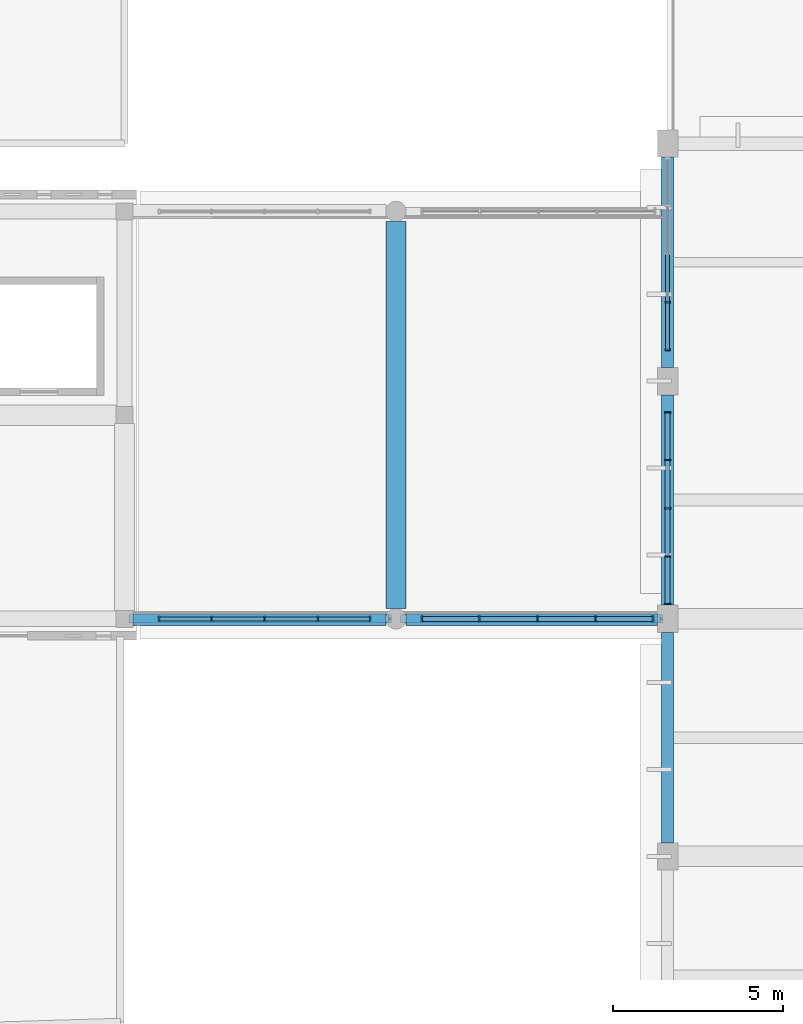
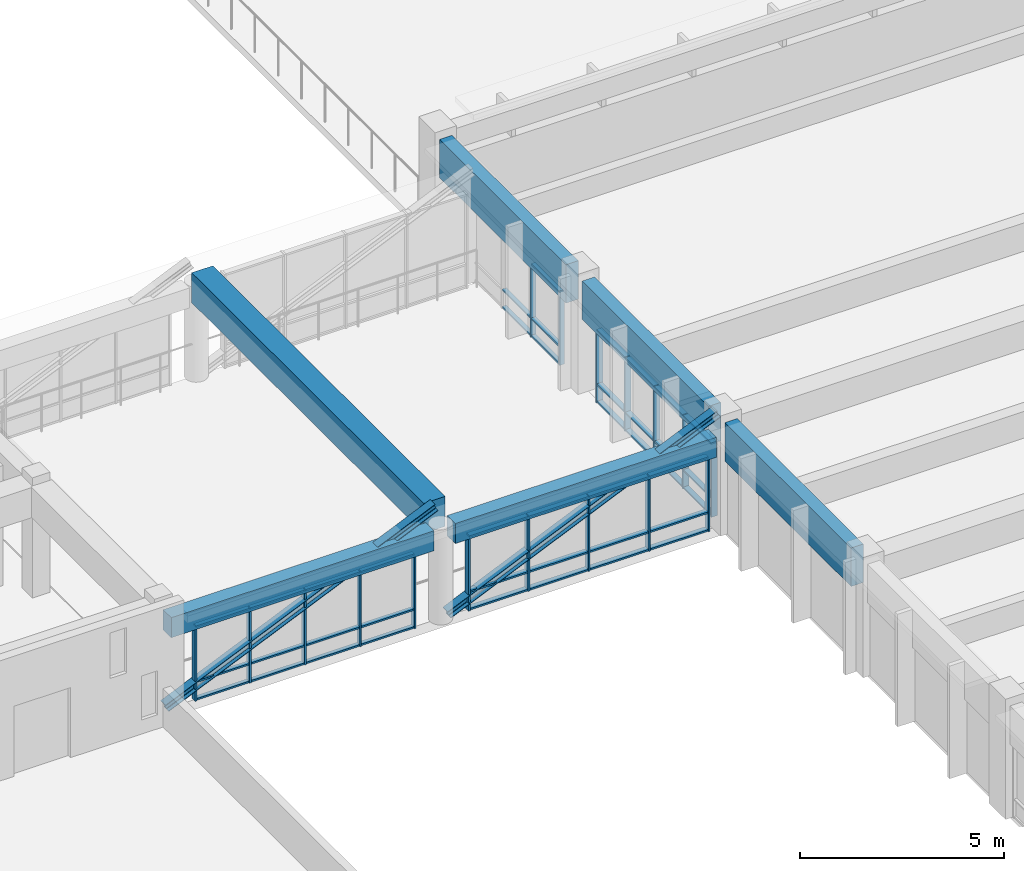
# One storey, part 24 of 77: 60 members, 6 beams, 4 elements without a shape of their own.
"""IFC4 building model written with IfcOpenShell, lengths in metres."""

from ifc_helpers import new_model, si_unit, direction, frame, origin, origin_2d, place, context, subcontext, project, spatial, rectangle, i_section, extrude, material, material_profile, profile_set, type_object, element, aggregate, save


model = new_model("IFC4")

# Units and contexts
model_context = context("Model", 3, precision=1e-05, world=origin(), true_north=direction((0.0, 1.0)))
body_context = subcontext(model_context, "Body", "Model", "MODEL_VIEW")
ifc_project = project(units=[si_unit("LENGTHUNIT", "METRE"), si_unit("AREAUNIT", "SQUARE_METRE"), si_unit("VOLUMEUNIT", "CUBIC_METRE"), si_unit("PLANEANGLEUNIT", "RADIAN"), si_unit("MASSUNIT", "GRAM", prefix="KILO")], contexts=[model_context])

# Site, building, storey
site_placement = place(None, origin())
site = spatial("IfcSite", under=ifc_project, at=site_placement, CompositionType="ELEMENT")
building_placement = place(site_placement, origin())
building = spatial("IfcBuilding", under=site, at=building_placement, Name="Larkveld Mobility Hub", CompositionType="ELEMENT")
storey_placement = place(building_placement, frame((0.0, 0.0, 12.0)))
storey = spatial("IfcBuildingStorey", under=building, at=storey_placement, Name="L03", CompositionType="ELEMENT", Elevation=12.0)

# Beams
ifc_material_1 = material(Name="Concrete C40/50", Category="concrete")
ifc_material_profile_1 = material_profile(ifc_material_1, rectangle(XDim=0.39990234375, YDim=0.60009765625, at=origin_2d()), Name="RC BM 400x600")
ifc_profile_set_1 = profile_set([ifc_material_profile_1], Name="Concrete C40/50")
beam_type_1 = type_object("IfcBeamType", Name="BM-RC4060", PredefinedType="BEAM", material=ifc_profile_set_1)
beam_1_placement = place(storey_placement, frame((96.25, 84.0, 2.544921875), z_axis=(1.0, 0.0, 0.0), x_axis=(0.0, 1.0, 0.0)))
element("IfcBeam", 1, at=beam_1_placement, inside=storey, type_object=beam_type_1, Name="Footbridge L03 Canopy E-W Girder L03-0735", PredefinedType="BEAM", context=body_context, shape_type="SweptSolid", body=[
    extrude(rectangle(XDim=0.39990234375, YDim=0.60009765625, at=origin_2d()), origin(), (0.0, 0.0, 1.0), 7.449951171875),
])
beam_2_placement = place(storey_placement, frame((104.300048828125, 84.0, 2.544921875), z_axis=(1.0, 0.0, 0.0), x_axis=(0.0, 1.0, 0.0)))
element("IfcBeam", 2, at=beam_2_placement, inside=storey, type_object=beam_type_1, Name="Footbridge L03 Canopy E-W Girder L03-0735", PredefinedType="BEAM", context=body_context, shape_type="SweptSolid", body=[
    extrude(rectangle(XDim=0.39990234375, YDim=0.60009765625, at=origin_2d()), origin(), (0.0, 0.0, 1.0), 7.39990234375),
])
ifc_material_profile_2 = material_profile(ifc_material_1, rectangle(XDim=0.60009765625, YDim=0.89990234375, at=origin_2d()), Name="RC BM 600x900")
ifc_profile_set_2 = profile_set([ifc_material_profile_2], Name="Concrete C40/50")
beam_type_2 = type_object("IfcBeamType", Name="BM-RC6090", PredefinedType="BEAM", material=ifc_profile_set_2)
beam_3_placement = place(storey_placement, frame((104.0, 84.300048828125, 2.909912109375), z_axis=(0.0, 1.0, 0.0), x_axis=(-1.0, 0.0, 0.0)))
element("IfcBeam", 3, at=beam_3_placement, inside=storey, type_object=beam_type_2, Name="Primary N-S Girder L03-0794", PredefinedType="BEAM", context=body_context, shape_type="SweptSolid", body=[
    extrude(rectangle(XDim=0.60009765625, YDim=0.89990234375, at=origin_2d()), origin(), (0.0, 0.0, 1.0), 11.39990234375),
])
ifc_material_2 = material(Name="Precast concrete C50/60", Category="concrete")
ifc_material_profile_3 = material_profile(ifc_material_2, rectangle(XDim=0.35009765625, YDim=1.14990234375, at=origin_2d()), Name="PC SP 350x1150")
ifc_profile_set_3 = profile_set([ifc_material_profile_3], Name="Precast concrete C50/60")
beam_type_3 = type_object("IfcBeamType", Name="BM-SP35115", PredefinedType="SPANDREL", material=ifc_profile_set_3)
for number, where, z_axis, x_axis, name in (
    (4, (112.0, 77.39990234375, 2.784912109375), (0.0, 1.0, 0.0), (-1.0, 0.0, 0.0), "Primary N-S Girder L03-0805"),
    (5, (112.0, 84.39990234375, 2.784912109375), (0.0, 1.0, 0.0), (-1.0, 0.0, 0.0), "Primary N-S Girder L03-0806"),
    (6, (112.0, 91.39990234375, 2.784912109375), (0.0, 1.0, 0.0), (-1.0, 0.0, 0.0), "Primary N-S Girder L03-0807"),
):
    element("IfcBeam", number, at=place(storey_placement, frame(where, z_axis=z_axis, x_axis=x_axis)), inside=storey, type_object=beam_type_3, Name=name, PredefinedType="SPANDREL", context=body_context, shape_type="SweptSolid", body=[
        extrude(rectangle(XDim=0.35009765625, YDim=1.14990234375, at=origin_2d()), origin(), (0.0, 0.0, 1.0), 6.2001953125),
    ])

# Curtain wall, members
ifc_material_3 = material(Name="Anodised aluminium 6063-T6", Category="aluminium")
curtain_wall_type_1 = type_object("IfcCurtainWallType", Name="CW-SYS-05", PredefinedType="NOTDEFINED", material=ifc_material_3)
curtain_wall_1_placement = place(storey_placement, origin())
curtain_wall_1 = element("IfcCurtainWall", 7, at=curtain_wall_1_placement, inside=storey, type_object=curtain_wall_type_1, Name="Concourse Footbridge L03 South Glazing CW-005", PredefinedType="NOTDEFINED")
ifc_material_profile_4 = material_profile(ifc_material_3, rectangle(XDim=0.050048828125, YDim=0.14990234375, at=origin_2d()), Name="ALU MULL 50x150")
ifc_profile_set_4 = profile_set([ifc_material_profile_4], Name="Anodised aluminium 6063-T6")
member_type_1 = type_object("IfcMemberType", Name="CW-MUL-01", PredefinedType="MULLION", material=ifc_profile_set_4)
member_1_placement = place(storey_placement, frame((97.02490234375, 84.0, -0.001953125), z_axis=(0.0, 0.0, 1.0), x_axis=(1.0, 0.0, 0.0)))
member_1 = element("IfcMember", 8, at=member_1_placement, type_object=member_type_1, Name="CW05 mullion 1", PredefinedType="MULLION", context=body_context, shape_type="SweptSolid", body=[
    extrude(rectangle(XDim=0.050048828125, YDim=0.14990234375, at=origin_2d()), origin(), (0.0, 0.0, 1.0), 2.2470703125),
])
member_2_placement = place(storey_placement, frame((98.56494140625, 84.0, -0.001953125), z_axis=(0.0, 0.0, 1.0), x_axis=(1.0, 0.0, 0.0)))
member_2 = element("IfcMember", 9, at=member_2_placement, type_object=member_type_1, Name="CW05 mullion 2", PredefinedType="MULLION", context=body_context, shape_type="SweptSolid", body=[
    extrude(rectangle(XDim=0.050048828125, YDim=0.14990234375, at=origin_2d()), origin(), (0.0, 0.0, 1.0), 2.2470703125),
])
member_3_placement = place(storey_placement, frame((100.1298828125, 84.0, -0.001953125), z_axis=(0.0, 0.0, 1.0), x_axis=(1.0, 0.0, 0.0)))
member_3 = element("IfcMember", 10, at=member_3_placement, type_object=member_type_1, Name="CW05 mullion 3", PredefinedType="MULLION", context=body_context, shape_type="SweptSolid", body=[
    extrude(rectangle(XDim=0.050048828125, YDim=0.14990234375, at=origin_2d()), origin(), (0.0, 0.0, 1.0), 2.2470703125),
])
member_4_placement = place(storey_placement, frame((101.695068359375, 84.0, -0.001953125), z_axis=(0.0, 0.0, 1.0), x_axis=(1.0, 0.0, 0.0)))
member_4 = element("IfcMember", 11, at=member_4_placement, type_object=member_type_1, Name="CW05 mullion 4", PredefinedType="MULLION", context=body_context, shape_type="SweptSolid", body=[
    extrude(rectangle(XDim=0.050048828125, YDim=0.14990234375, at=origin_2d()), origin(), (0.0, 0.0, 1.0), 2.2470703125),
])
member_5_placement = place(storey_placement, frame((103.235107421875, 84.0, -0.001953125), z_axis=(0.0, 0.0, 1.0), x_axis=(1.0, 0.0, 0.0)))
member_5 = element("IfcMember", 12, at=member_5_placement, type_object=member_type_1, Name="CW05 mullion 5", PredefinedType="MULLION", context=body_context, shape_type="SweptSolid", body=[
    extrude(rectangle(XDim=0.050048828125, YDim=0.14990234375, at=origin_2d()), origin(), (0.0, 0.0, 1.0), 2.2470703125),
])

curtain_wall_type_2 = type_object("IfcCurtainWallType", Name="CW-SYS-01", PredefinedType="NOTDEFINED", material=ifc_material_3)
curtain_wall_2_placement = place(storey_placement, origin())
curtain_wall_2 = element("IfcCurtainWall", 13, at=curtain_wall_2_placement, inside=storey, type_object=curtain_wall_type_2, Name="EV Wing West Glazing L03 CW-145", PredefinedType="NOTDEFINED")
member_6_placement = place(storey_placement, frame((112.0, 93.322998046875, -0.001953125), z_axis=(0.0, 0.0, 1.0), x_axis=(0.0, -1.0, 0.0)))
member_6 = element("IfcMember", 14, at=member_6_placement, type_object=member_type_1, Name="CW01 mullion 4", PredefinedType="MULLION", context=body_context, shape_type="SweptSolid", body=[
    extrude(rectangle(XDim=0.050048828125, YDim=0.14990234375, at=origin_2d()), origin(), (0.0, 0.0, 1.0), 2.2119140625),
])
member_7_placement = place(storey_placement, frame((112.0, 91.925048828125, -0.001953125), z_axis=(0.0, 0.0, 1.0), x_axis=(0.0, -1.0, 0.0)))
member_7 = element("IfcMember", 15, at=member_7_placement, type_object=member_type_1, Name="CW01 mullion 5", PredefinedType="MULLION", context=body_context, shape_type="SweptSolid", body=[
    extrude(rectangle(XDim=0.050048828125, YDim=0.14990234375, at=origin_2d()), origin(), (0.0, 0.0, 1.0), 2.2119140625),
])

curtain_wall_type_3 = type_object("IfcCurtainWallType", Name="CW-SYS-06", PredefinedType="NOTDEFINED", material=ifc_material_3)
curtain_wall_3_placement = place(storey_placement, origin())
curtain_wall_3 = element("IfcCurtainWall", 16, at=curtain_wall_3_placement, inside=storey, type_object=curtain_wall_type_3, Name="Concourse Footbridge L03 South Glazing CW-006", PredefinedType="NOTDEFINED")
ifc_material_profile_5 = material_profile(ifc_material_3, rectangle(XDim=0.050048828125, YDim=0.179931640625, at=origin_2d()), Name="ALU MULL 50x180")
ifc_profile_set_5 = profile_set([ifc_material_profile_5], Name="Anodised aluminium 6063-T6")
member_type_2 = type_object("IfcMemberType", Name="CW-MUL-02", PredefinedType="MULLION", material=ifc_profile_set_5)
member_8_placement = place(storey_placement, frame((104.764892578125, 84.0, -0.001953125), z_axis=(0.0, 0.0, 1.0), x_axis=(1.0, 0.0, 0.0)))
member_8 = element("IfcMember", 17, at=member_8_placement, type_object=member_type_2, Name="CW06 mullion 1", PredefinedType="MULLION", context=body_context, shape_type="SweptSolid", body=[
    extrude(rectangle(XDim=0.050048828125, YDim=0.179931640625, at=origin_2d()), origin(), (0.0, 0.0, 1.0), 2.2470703125),
])
member_9_placement = place(storey_placement, frame((106.452880859375, 84.0, -0.001953125), z_axis=(0.0, 0.0, 1.0), x_axis=(1.0, 0.0, 0.0)))
member_9 = element("IfcMember", 18, at=member_9_placement, type_object=member_type_2, Name="CW06 mullion 2", PredefinedType="MULLION", context=body_context, shape_type="SweptSolid", body=[
    extrude(rectangle(XDim=0.050048828125, YDim=0.179931640625, at=origin_2d()), origin(), (0.0, 0.0, 1.0), 2.2470703125),
])
member_10_placement = place(storey_placement, frame((108.1650390625, 84.0, -0.001953125), z_axis=(0.0, 0.0, 1.0), x_axis=(1.0, 0.0, 0.0)))
member_10 = element("IfcMember", 19, at=member_10_placement, type_object=member_type_2, Name="CW06 mullion 3", PredefinedType="MULLION", context=body_context, shape_type="SweptSolid", body=[
    extrude(rectangle(XDim=0.050048828125, YDim=0.179931640625, at=origin_2d()), origin(), (0.0, 0.0, 1.0), 2.2470703125),
])
member_11_placement = place(storey_placement, frame((109.876953125, 84.0, -0.001953125), z_axis=(0.0, 0.0, 1.0), x_axis=(1.0, 0.0, 0.0)))
member_11 = element("IfcMember", 20, at=member_11_placement, type_object=member_type_2, Name="CW06 mullion 4", PredefinedType="MULLION", context=body_context, shape_type="SweptSolid", body=[
    extrude(rectangle(XDim=0.050048828125, YDim=0.179931640625, at=origin_2d()), origin(), (0.0, 0.0, 1.0), 2.2470703125),
])
member_12_placement = place(storey_placement, frame((111.56494140625, 84.0, -0.001953125), z_axis=(0.0, 0.0, 1.0), x_axis=(1.0, 0.0, 0.0)))
member_12 = element("IfcMember", 21, at=member_12_placement, type_object=member_type_2, Name="CW06 mullion 5", PredefinedType="MULLION", context=body_context, shape_type="SweptSolid", body=[
    extrude(rectangle(XDim=0.050048828125, YDim=0.179931640625, at=origin_2d()), origin(), (0.0, 0.0, 1.0), 2.2470703125),
])

curtain_wall_type_4 = type_object("IfcCurtainWallType", Name="CW-SYS-02", PredefinedType="NOTDEFINED", material=ifc_material_3)
curtain_wall_4_placement = place(storey_placement, origin())
curtain_wall_4 = element("IfcCurtainWall", 22, at=curtain_wall_4_placement, inside=storey, type_object=curtain_wall_type_4, Name="EV Wing West Glazing L03 CW-146", PredefinedType="NOTDEFINED")
member_13_placement = place(storey_placement, frame((112.0, 90.074951171875, -0.001953125), z_axis=(0.0, 0.0, 1.0), x_axis=(0.0, -1.0, 0.0)))
member_13 = element("IfcMember", 23, at=member_13_placement, type_object=member_type_2, Name="CW02 mullion 1", PredefinedType="MULLION", context=body_context, shape_type="SweptSolid", body=[
    extrude(rectangle(XDim=0.050048828125, YDim=0.179931640625, at=origin_2d()), origin(), (0.0, 0.0, 1.0), 2.2119140625),
])
member_14_placement = place(storey_placement, frame((112.0, 88.677001953125, -0.001953125), z_axis=(0.0, 0.0, 1.0), x_axis=(0.0, -1.0, 0.0)))
member_14 = element("IfcMember", 24, at=member_14_placement, type_object=member_type_2, Name="CW02 mullion 2", PredefinedType="MULLION", context=body_context, shape_type="SweptSolid", body=[
    extrude(rectangle(XDim=0.050048828125, YDim=0.179931640625, at=origin_2d()), origin(), (0.0, 0.0, 1.0), 2.2119140625),
])
member_15_placement = place(storey_placement, frame((112.0, 87.2548828125, -0.001953125), z_axis=(0.0, 0.0, 1.0), x_axis=(0.0, -1.0, 0.0)))
member_15 = element("IfcMember", 25, at=member_15_placement, type_object=member_type_2, Name="CW02 mullion 3", PredefinedType="MULLION", context=body_context, shape_type="SweptSolid", body=[
    extrude(rectangle(XDim=0.050048828125, YDim=0.179931640625, at=origin_2d()), origin(), (0.0, 0.0, 1.0), 2.2119140625),
])
member_16_placement = place(storey_placement, frame((112.0, 85.83203125, -0.001953125), z_axis=(0.0, 0.0, 1.0), x_axis=(0.0, -1.0, 0.0)))
member_16 = element("IfcMember", 26, at=member_16_placement, type_object=member_type_2, Name="CW02 mullion 4", PredefinedType="MULLION", context=body_context, shape_type="SweptSolid", body=[
    extrude(rectangle(XDim=0.050048828125, YDim=0.179931640625, at=origin_2d()), origin(), (0.0, 0.0, 1.0), 2.2119140625),
])
member_17_placement = place(storey_placement, frame((112.0, 84.43505859375, -0.001953125), z_axis=(0.0, 0.0, 1.0), x_axis=(0.0, -1.0, 0.0)))
member_17 = element("IfcMember", 27, at=member_17_placement, type_object=member_type_2, Name="CW02 mullion 5", PredefinedType="MULLION", context=body_context, shape_type="SweptSolid", body=[
    extrude(rectangle(XDim=0.050048828125, YDim=0.179931640625, at=origin_2d()), origin(), (0.0, 0.0, 1.0), 2.2119140625),
])

# Member
ifc_material_profile_6 = material_profile(ifc_material_3, rectangle(XDim=0.1201171875, YDim=0.050048828125, at=origin_2d()), Name="ALU TRAN 50x120")
ifc_profile_set_6 = profile_set([ifc_material_profile_6], Name="Anodised aluminium 6063-T6")
member_type_3 = type_object("IfcMemberType", Name="CW-TRN-01", PredefinedType="USERDEFINED", material=ifc_profile_set_6)
member_18_placement = place(storey_placement, frame((97.034912109375, 84.0, 0.030029296875), z_axis=(1.0, 0.0, 0.0), x_axis=(0.0, 1.0, 0.0)))
member_18 = element("IfcMember", 28, at=member_18_placement, type_object=member_type_3, Name="CW05 transom 1.1", ObjectType="TRANSOM", PredefinedType="USERDEFINED", context=body_context, shape_type="SweptSolid", body=[
    extrude(rectangle(XDim=0.1201171875, YDim=0.050048828125, at=origin_2d()), origin(), (0.0, 0.0, 1.0), 1.51513671875),
])

member_19_placement = place(storey_placement, frame((97.034912109375, 84.0, 0.56103515625), z_axis=(1.0, 0.0, 0.0), x_axis=(0.0, 1.0, 0.0)))
member_19 = element("IfcMember", 29, at=member_19_placement, type_object=member_type_3, Name="CW05 transom 1.2", ObjectType="TRANSOM", PredefinedType="USERDEFINED", context=body_context, shape_type="SweptSolid", body=[
    extrude(rectangle(XDim=0.1201171875, YDim=0.050048828125, at=origin_2d()), origin(), (0.0, 0.0, 1.0), 1.51513671875),
])

member_20_placement = place(storey_placement, frame((97.034912109375, 84.0, 2.212890625), z_axis=(1.0, 0.0, 0.0), x_axis=(0.0, 1.0, 0.0)))
member_20 = element("IfcMember", 30, at=member_20_placement, type_object=member_type_3, Name="CW05 transom 1.3", ObjectType="TRANSOM", PredefinedType="USERDEFINED", context=body_context, shape_type="SweptSolid", body=[
    extrude(rectangle(XDim=0.1201171875, YDim=0.050048828125, at=origin_2d()), origin(), (0.0, 0.0, 1.0), 1.51513671875),
])

member_21_placement = place(storey_placement, frame((98.580078125, 84.0, 0.030029296875), z_axis=(1.0, 0.0, 0.0), x_axis=(0.0, 1.0, 0.0)))
member_21 = element("IfcMember", 31, at=member_21_placement, type_object=member_type_3, Name="CW05 transom 2.1", ObjectType="TRANSOM", PredefinedType="USERDEFINED", context=body_context, shape_type="SweptSolid", body=[
    extrude(rectangle(XDim=0.1201171875, YDim=0.050048828125, at=origin_2d()), origin(), (0.0, 0.0, 1.0), 1.534912109375),
])

member_22_placement = place(storey_placement, frame((98.580078125, 84.0, 0.56103515625), z_axis=(1.0, 0.0, 0.0), x_axis=(0.0, 1.0, 0.0)))
member_22 = element("IfcMember", 32, at=member_22_placement, type_object=member_type_3, Name="CW05 transom 2.2", ObjectType="TRANSOM", PredefinedType="USERDEFINED", context=body_context, shape_type="SweptSolid", body=[
    extrude(rectangle(XDim=0.1201171875, YDim=0.050048828125, at=origin_2d()), origin(), (0.0, 0.0, 1.0), 1.534912109375),
])

member_23_placement = place(storey_placement, frame((98.580078125, 84.0, 2.212890625), z_axis=(1.0, 0.0, 0.0), x_axis=(0.0, 1.0, 0.0)))
member_23 = element("IfcMember", 33, at=member_23_placement, type_object=member_type_3, Name="CW05 transom 2.3", ObjectType="TRANSOM", PredefinedType="USERDEFINED", context=body_context, shape_type="SweptSolid", body=[
    extrude(rectangle(XDim=0.1201171875, YDim=0.050048828125, at=origin_2d()), origin(), (0.0, 0.0, 1.0), 1.534912109375),
])

member_24_placement = place(storey_placement, frame((100.14501953125, 84.0, 0.030029296875), z_axis=(1.0, 0.0, 0.0), x_axis=(0.0, 1.0, 0.0)))
member_24 = element("IfcMember", 34, at=member_24_placement, type_object=member_type_3, Name="CW05 transom 3.1", ObjectType="TRANSOM", PredefinedType="USERDEFINED", context=body_context, shape_type="SweptSolid", body=[
    extrude(rectangle(XDim=0.1201171875, YDim=0.050048828125, at=origin_2d()), origin(), (0.0, 0.0, 1.0), 1.534912109375),
])

member_25_placement = place(storey_placement, frame((100.14501953125, 84.0, 0.56103515625), z_axis=(1.0, 0.0, 0.0), x_axis=(0.0, 1.0, 0.0)))
member_25 = element("IfcMember", 35, at=member_25_placement, type_object=member_type_3, Name="CW05 transom 3.2", ObjectType="TRANSOM", PredefinedType="USERDEFINED", context=body_context, shape_type="SweptSolid", body=[
    extrude(rectangle(XDim=0.1201171875, YDim=0.050048828125, at=origin_2d()), origin(), (0.0, 0.0, 1.0), 1.534912109375),
])

member_26_placement = place(storey_placement, frame((100.14501953125, 84.0, 2.212890625), z_axis=(1.0, 0.0, 0.0), x_axis=(0.0, 1.0, 0.0)))
member_26 = element("IfcMember", 36, at=member_26_placement, type_object=member_type_3, Name="CW05 transom 3.3", ObjectType="TRANSOM", PredefinedType="USERDEFINED", context=body_context, shape_type="SweptSolid", body=[
    extrude(rectangle(XDim=0.1201171875, YDim=0.050048828125, at=origin_2d()), origin(), (0.0, 0.0, 1.0), 1.534912109375),
])

member_27_placement = place(storey_placement, frame((101.7099609375, 84.0, 0.030029296875), z_axis=(1.0, 0.0, 0.0), x_axis=(0.0, 1.0, 0.0)))
member_27 = element("IfcMember", 37, at=member_27_placement, type_object=member_type_3, Name="CW05 transom 4.1", ObjectType="TRANSOM", PredefinedType="USERDEFINED", context=body_context, shape_type="SweptSolid", body=[
    extrude(rectangle(XDim=0.1201171875, YDim=0.050048828125, at=origin_2d()), origin(), (0.0, 0.0, 1.0), 1.51513671875),
])

member_28_placement = place(storey_placement, frame((101.7099609375, 84.0, 0.56103515625), z_axis=(1.0, 0.0, 0.0), x_axis=(0.0, 1.0, 0.0)))
member_28 = element("IfcMember", 38, at=member_28_placement, type_object=member_type_3, Name="CW05 transom 4.2", ObjectType="TRANSOM", PredefinedType="USERDEFINED", context=body_context, shape_type="SweptSolid", body=[
    extrude(rectangle(XDim=0.1201171875, YDim=0.050048828125, at=origin_2d()), origin(), (0.0, 0.0, 1.0), 1.51513671875),
])

member_29_placement = place(storey_placement, frame((101.7099609375, 84.0, 2.212890625), z_axis=(1.0, 0.0, 0.0), x_axis=(0.0, 1.0, 0.0)))
member_29 = element("IfcMember", 39, at=member_29_placement, type_object=member_type_3, Name="CW05 transom 4.3", ObjectType="TRANSOM", PredefinedType="USERDEFINED", context=body_context, shape_type="SweptSolid", body=[
    extrude(rectangle(XDim=0.1201171875, YDim=0.050048828125, at=origin_2d()), origin(), (0.0, 0.0, 1.0), 1.51513671875),
])

aggregate(curtain_wall_1, [member_1, member_2, member_3, member_4, member_5, member_18, member_19, member_20, member_21, member_22, member_23, member_24, member_25, member_26, member_27, member_28, member_29])

member_30_placement = place(storey_placement, frame((112.0, 94.72998046875, 0.030029296875), z_axis=(0.0, -1.0, 0.0), x_axis=(1.0, 0.0, 0.0)))
member_30 = element("IfcMember", 40, at=member_30_placement, type_object=member_type_3, Name="CW01 transom 3.1", ObjectType="TRANSOM", PredefinedType="USERDEFINED", context=body_context, shape_type="SweptSolid", body=[
    extrude(rectangle(XDim=0.1201171875, YDim=0.050048828125, at=origin_2d()), origin(), (0.0, 0.0, 1.0), 1.39208984375),
])

member_31_placement = place(storey_placement, frame((112.0, 94.72998046875, 0.552001953125), z_axis=(0.0, -1.0, 0.0), x_axis=(1.0, 0.0, 0.0)))
member_31 = element("IfcMember", 41, at=member_31_placement, type_object=member_type_3, Name="CW01 transom 3.2", ObjectType="TRANSOM", PredefinedType="USERDEFINED", context=body_context, shape_type="SweptSolid", body=[
    extrude(rectangle(XDim=0.1201171875, YDim=0.050048828125, at=origin_2d()), origin(), (0.0, 0.0, 1.0), 1.39208984375),
])

member_32_placement = place(storey_placement, frame((112.0, 93.30810546875, 0.030029296875), z_axis=(0.0, -1.0, 0.0), x_axis=(1.0, 0.0, 0.0)))
member_32 = element("IfcMember", 42, at=member_32_placement, type_object=member_type_3, Name="CW01 transom 4.1", ObjectType="TRANSOM", PredefinedType="USERDEFINED", context=body_context, shape_type="SweptSolid", body=[
    extrude(rectangle(XDim=0.1201171875, YDim=0.050048828125, at=origin_2d()), origin(), (0.0, 0.0, 1.0), 1.373046875),
])

member_33_placement = place(storey_placement, frame((112.0, 93.30810546875, 0.552001953125), z_axis=(0.0, -1.0, 0.0), x_axis=(1.0, 0.0, 0.0)))
member_33 = element("IfcMember", 43, at=member_33_placement, type_object=member_type_3, Name="CW01 transom 4.2", ObjectType="TRANSOM", PredefinedType="USERDEFINED", context=body_context, shape_type="SweptSolid", body=[
    extrude(rectangle(XDim=0.1201171875, YDim=0.050048828125, at=origin_2d()), origin(), (0.0, 0.0, 1.0), 1.373046875),
])

member_34_placement = place(storey_placement, frame((112.0, 93.30810546875, 2.177978515625), z_axis=(0.0, -1.0, 0.0), x_axis=(1.0, 0.0, 0.0)))
member_34 = element("IfcMember", 44, at=member_34_placement, type_object=member_type_3, Name="CW01 transom 4.3", ObjectType="TRANSOM", PredefinedType="USERDEFINED", context=body_context, shape_type="SweptSolid", body=[
    extrude(rectangle(XDim=0.1201171875, YDim=0.050048828125, at=origin_2d()), origin(), (0.0, 0.0, 1.0), 1.373046875),
])

aggregate(curtain_wall_2, [member_6, member_7, member_30, member_31, member_32, member_33, member_34])

ifc_material_profile_7 = material_profile(ifc_material_3, rectangle(XDim=0.14990234375, YDim=0.050048828125, at=origin_2d()), Name="ALU TRAN 50x150")
ifc_profile_set_7 = profile_set([ifc_material_profile_7], Name="Anodised aluminium 6063-T6")
member_type_4 = type_object("IfcMemberType", Name="CW-TRN-02", PredefinedType="USERDEFINED", material=ifc_profile_set_7)
member_35_placement = place(storey_placement, frame((104.77490234375, 84.0, 0.030029296875), z_axis=(1.0, 0.0, 0.0), x_axis=(0.0, 1.0, 0.0)))
member_35 = element("IfcMember", 45, at=member_35_placement, type_object=member_type_4, Name="CW06 transom 1.1", ObjectType="TRANSOM", PredefinedType="USERDEFINED", context=body_context, shape_type="SweptSolid", body=[
    extrude(rectangle(XDim=0.14990234375, YDim=0.050048828125, at=origin_2d()), origin(), (0.0, 0.0, 1.0), 1.6630859375),
])

member_36_placement = place(storey_placement, frame((104.77490234375, 84.0, 0.56103515625), z_axis=(1.0, 0.0, 0.0), x_axis=(0.0, 1.0, 0.0)))
member_36 = element("IfcMember", 46, at=member_36_placement, type_object=member_type_4, Name="CW06 transom 1.2", ObjectType="TRANSOM", PredefinedType="USERDEFINED", context=body_context, shape_type="SweptSolid", body=[
    extrude(rectangle(XDim=0.14990234375, YDim=0.050048828125, at=origin_2d()), origin(), (0.0, 0.0, 1.0), 1.6630859375),
])

member_37_placement = place(storey_placement, frame((104.77490234375, 84.0, 2.212890625), z_axis=(1.0, 0.0, 0.0), x_axis=(0.0, 1.0, 0.0)))
member_37 = element("IfcMember", 47, at=member_37_placement, type_object=member_type_4, Name="CW06 transom 1.3", ObjectType="TRANSOM", PredefinedType="USERDEFINED", context=body_context, shape_type="SweptSolid", body=[
    extrude(rectangle(XDim=0.14990234375, YDim=0.050048828125, at=origin_2d()), origin(), (0.0, 0.0, 1.0), 1.6630859375),
])

member_38_placement = place(storey_placement, frame((106.468017578125, 84.0, 0.030029296875), z_axis=(1.0, 0.0, 0.0), x_axis=(0.0, 1.0, 0.0)))
member_38 = element("IfcMember", 48, at=member_38_placement, type_object=member_type_4, Name="CW06 transom 2.1", ObjectType="TRANSOM", PredefinedType="USERDEFINED", context=body_context, shape_type="SweptSolid", body=[
    extrude(rectangle(XDim=0.14990234375, YDim=0.050048828125, at=origin_2d()), origin(), (0.0, 0.0, 1.0), 1.681884765625),
])

member_39_placement = place(storey_placement, frame((106.468017578125, 84.0, 0.56103515625), z_axis=(1.0, 0.0, 0.0), x_axis=(0.0, 1.0, 0.0)))
member_39 = element("IfcMember", 49, at=member_39_placement, type_object=member_type_4, Name="CW06 transom 2.2", ObjectType="TRANSOM", PredefinedType="USERDEFINED", context=body_context, shape_type="SweptSolid", body=[
    extrude(rectangle(XDim=0.14990234375, YDim=0.050048828125, at=origin_2d()), origin(), (0.0, 0.0, 1.0), 1.681884765625),
])

member_40_placement = place(storey_placement, frame((106.468017578125, 84.0, 2.212890625), z_axis=(1.0, 0.0, 0.0), x_axis=(0.0, 1.0, 0.0)))
member_40 = element("IfcMember", 50, at=member_40_placement, type_object=member_type_4, Name="CW06 transom 2.3", ObjectType="TRANSOM", PredefinedType="USERDEFINED", context=body_context, shape_type="SweptSolid", body=[
    extrude(rectangle(XDim=0.14990234375, YDim=0.050048828125, at=origin_2d()), origin(), (0.0, 0.0, 1.0), 1.681884765625),
])

member_41_placement = place(storey_placement, frame((108.179931640625, 84.0, 0.030029296875), z_axis=(1.0, 0.0, 0.0), x_axis=(0.0, 1.0, 0.0)))
member_41 = element("IfcMember", 51, at=member_41_placement, type_object=member_type_4, Name="CW06 transom 3.1", ObjectType="TRANSOM", PredefinedType="USERDEFINED", context=body_context, shape_type="SweptSolid", body=[
    extrude(rectangle(XDim=0.14990234375, YDim=0.050048828125, at=origin_2d()), origin(), (0.0, 0.0, 1.0), 1.68212890625),
])

member_42_placement = place(storey_placement, frame((108.179931640625, 84.0, 0.56103515625), z_axis=(1.0, 0.0, 0.0), x_axis=(0.0, 1.0, 0.0)))
member_42 = element("IfcMember", 52, at=member_42_placement, type_object=member_type_4, Name="CW06 transom 3.2", ObjectType="TRANSOM", PredefinedType="USERDEFINED", context=body_context, shape_type="SweptSolid", body=[
    extrude(rectangle(XDim=0.14990234375, YDim=0.050048828125, at=origin_2d()), origin(), (0.0, 0.0, 1.0), 1.68212890625),
])

member_43_placement = place(storey_placement, frame((108.179931640625, 84.0, 2.212890625), z_axis=(1.0, 0.0, 0.0), x_axis=(0.0, 1.0, 0.0)))
member_43 = element("IfcMember", 53, at=member_43_placement, type_object=member_type_4, Name="CW06 transom 3.3", ObjectType="TRANSOM", PredefinedType="USERDEFINED", context=body_context, shape_type="SweptSolid", body=[
    extrude(rectangle(XDim=0.14990234375, YDim=0.050048828125, at=origin_2d()), origin(), (0.0, 0.0, 1.0), 1.68212890625),
])

member_44_placement = place(storey_placement, frame((109.89208984375, 84.0, 0.030029296875), z_axis=(1.0, 0.0, 0.0), x_axis=(0.0, 1.0, 0.0)))
member_44 = element("IfcMember", 54, at=member_44_placement, type_object=member_type_4, Name="CW06 transom 4.1", ObjectType="TRANSOM", PredefinedType="USERDEFINED", context=body_context, shape_type="SweptSolid", body=[
    extrude(rectangle(XDim=0.14990234375, YDim=0.050048828125, at=origin_2d()), origin(), (0.0, 0.0, 1.0), 1.662841796875),
])

member_45_placement = place(storey_placement, frame((109.89208984375, 84.0, 0.56103515625), z_axis=(1.0, 0.0, 0.0), x_axis=(0.0, 1.0, 0.0)))
member_45 = element("IfcMember", 55, at=member_45_placement, type_object=member_type_4, Name="CW06 transom 4.2", ObjectType="TRANSOM", PredefinedType="USERDEFINED", context=body_context, shape_type="SweptSolid", body=[
    extrude(rectangle(XDim=0.14990234375, YDim=0.050048828125, at=origin_2d()), origin(), (0.0, 0.0, 1.0), 1.662841796875),
])

member_46_placement = place(storey_placement, frame((109.89208984375, 84.0, 2.212890625), z_axis=(1.0, 0.0, 0.0), x_axis=(0.0, 1.0, 0.0)))
member_46 = element("IfcMember", 56, at=member_46_placement, type_object=member_type_4, Name="CW06 transom 4.3", ObjectType="TRANSOM", PredefinedType="USERDEFINED", context=body_context, shape_type="SweptSolid", body=[
    extrude(rectangle(XDim=0.14990234375, YDim=0.050048828125, at=origin_2d()), origin(), (0.0, 0.0, 1.0), 1.662841796875),
])

aggregate(curtain_wall_3, [member_8, member_9, member_10, member_11, member_12, member_35, member_36, member_37, member_38, member_39, member_40, member_41, member_42, member_43, member_44, member_45, member_46])

member_47_placement = place(storey_placement, frame((112.0, 90.06494140625, 0.030029296875), z_axis=(0.0, -1.0, 0.0), x_axis=(1.0, 0.0, 0.0)))
member_47 = element("IfcMember", 57, at=member_47_placement, type_object=member_type_4, Name="CW02 transom 1.1", ObjectType="TRANSOM", PredefinedType="USERDEFINED", context=body_context, shape_type="SweptSolid", body=[
    extrude(rectangle(XDim=0.14990234375, YDim=0.050048828125, at=origin_2d()), origin(), (0.0, 0.0, 1.0), 1.373046875),
])

member_48_placement = place(storey_placement, frame((112.0, 90.06494140625, 0.552001953125), z_axis=(0.0, -1.0, 0.0), x_axis=(1.0, 0.0, 0.0)))
member_48 = element("IfcMember", 58, at=member_48_placement, type_object=member_type_4, Name="CW02 transom 1.2", ObjectType="TRANSOM", PredefinedType="USERDEFINED", context=body_context, shape_type="SweptSolid", body=[
    extrude(rectangle(XDim=0.14990234375, YDim=0.050048828125, at=origin_2d()), origin(), (0.0, 0.0, 1.0), 1.373046875),
])

member_49_placement = place(storey_placement, frame((112.0, 90.06494140625, 2.177978515625), z_axis=(0.0, -1.0, 0.0), x_axis=(1.0, 0.0, 0.0)))
member_49 = element("IfcMember", 59, at=member_49_placement, type_object=member_type_4, Name="CW02 transom 1.3", ObjectType="TRANSOM", PredefinedType="USERDEFINED", context=body_context, shape_type="SweptSolid", body=[
    extrude(rectangle(XDim=0.14990234375, YDim=0.050048828125, at=origin_2d()), origin(), (0.0, 0.0, 1.0), 1.373046875),
])

member_50_placement = place(storey_placement, frame((112.0, 88.662109375, 0.030029296875), z_axis=(0.0, -1.0, 0.0), x_axis=(1.0, 0.0, 0.0)))
member_50 = element("IfcMember", 60, at=member_50_placement, type_object=member_type_4, Name="CW02 transom 2.1", ObjectType="TRANSOM", PredefinedType="USERDEFINED", context=body_context, shape_type="SweptSolid", body=[
    extrude(rectangle(XDim=0.14990234375, YDim=0.050048828125, at=origin_2d()), origin(), (0.0, 0.0, 1.0), 1.39208984375),
])

member_51_placement = place(storey_placement, frame((112.0, 88.662109375, 0.552001953125), z_axis=(0.0, -1.0, 0.0), x_axis=(1.0, 0.0, 0.0)))
member_51 = element("IfcMember", 61, at=member_51_placement, type_object=member_type_4, Name="CW02 transom 2.2", ObjectType="TRANSOM", PredefinedType="USERDEFINED", context=body_context, shape_type="SweptSolid", body=[
    extrude(rectangle(XDim=0.14990234375, YDim=0.050048828125, at=origin_2d()), origin(), (0.0, 0.0, 1.0), 1.39208984375),
])

member_52_placement = place(storey_placement, frame((112.0, 88.662109375, 2.177978515625), z_axis=(0.0, -1.0, 0.0), x_axis=(1.0, 0.0, 0.0)))
member_52 = element("IfcMember", 62, at=member_52_placement, type_object=member_type_4, Name="CW02 transom 2.3", ObjectType="TRANSOM", PredefinedType="USERDEFINED", context=body_context, shape_type="SweptSolid", body=[
    extrude(rectangle(XDim=0.14990234375, YDim=0.050048828125, at=origin_2d()), origin(), (0.0, 0.0, 1.0), 1.39208984375),
])

member_53_placement = place(storey_placement, frame((112.0, 87.239990234375, 0.030029296875), z_axis=(0.0, -1.0, 0.0), x_axis=(1.0, 0.0, 0.0)))
member_53 = element("IfcMember", 63, at=member_53_placement, type_object=member_type_4, Name="CW02 transom 3.1", ObjectType="TRANSOM", PredefinedType="USERDEFINED", context=body_context, shape_type="SweptSolid", body=[
    extrude(rectangle(XDim=0.14990234375, YDim=0.050048828125, at=origin_2d()), origin(), (0.0, 0.0, 1.0), 1.39306640625),
])

member_54_placement = place(storey_placement, frame((112.0, 87.239990234375, 0.552001953125), z_axis=(0.0, -1.0, 0.0), x_axis=(1.0, 0.0, 0.0)))
member_54 = element("IfcMember", 64, at=member_54_placement, type_object=member_type_4, Name="CW02 transom 3.2", ObjectType="TRANSOM", PredefinedType="USERDEFINED", context=body_context, shape_type="SweptSolid", body=[
    extrude(rectangle(XDim=0.14990234375, YDim=0.050048828125, at=origin_2d()), origin(), (0.0, 0.0, 1.0), 1.39306640625),
])

member_55_placement = place(storey_placement, frame((112.0, 87.239990234375, 2.177978515625), z_axis=(0.0, -1.0, 0.0), x_axis=(1.0, 0.0, 0.0)))
member_55 = element("IfcMember", 65, at=member_55_placement, type_object=member_type_4, Name="CW02 transom 3.3", ObjectType="TRANSOM", PredefinedType="USERDEFINED", context=body_context, shape_type="SweptSolid", body=[
    extrude(rectangle(XDim=0.14990234375, YDim=0.050048828125, at=origin_2d()), origin(), (0.0, 0.0, 1.0), 1.39306640625),
])

member_56_placement = place(storey_placement, frame((112.0, 85.81689453125, 0.030029296875), z_axis=(0.0, -1.0, 0.0), x_axis=(1.0, 0.0, 0.0)))
member_56 = element("IfcMember", 66, at=member_56_placement, type_object=member_type_4, Name="CW02 transom 4.1", ObjectType="TRANSOM", PredefinedType="USERDEFINED", context=body_context, shape_type="SweptSolid", body=[
    extrude(rectangle(XDim=0.14990234375, YDim=0.050048828125, at=origin_2d()), origin(), (0.0, 0.0, 1.0), 1.371826171875),
])

member_57_placement = place(storey_placement, frame((112.0, 85.81689453125, 0.552001953125), z_axis=(0.0, -1.0, 0.0), x_axis=(1.0, 0.0, 0.0)))
member_57 = element("IfcMember", 67, at=member_57_placement, type_object=member_type_4, Name="CW02 transom 4.2", ObjectType="TRANSOM", PredefinedType="USERDEFINED", context=body_context, shape_type="SweptSolid", body=[
    extrude(rectangle(XDim=0.14990234375, YDim=0.050048828125, at=origin_2d()), origin(), (0.0, 0.0, 1.0), 1.371826171875),
])

member_58_placement = place(storey_placement, frame((112.0, 85.81689453125, 2.177978515625), z_axis=(0.0, -1.0, 0.0), x_axis=(1.0, 0.0, 0.0)))
member_58 = element("IfcMember", 68, at=member_58_placement, type_object=member_type_4, Name="CW02 transom 4.3", ObjectType="TRANSOM", PredefinedType="USERDEFINED", context=body_context, shape_type="SweptSolid", body=[
    extrude(rectangle(XDim=0.14990234375, YDim=0.050048828125, at=origin_2d()), origin(), (0.0, 0.0, 1.0), 1.371826171875),
])

aggregate(curtain_wall_4, [member_13, member_14, member_15, member_16, member_17, member_47, member_48, member_49, member_50, member_51, member_52, member_53, member_54, member_55, member_56, member_57, member_58])

# Members
ifc_material_4 = material(Name="Steel S355JR", Category="steel")
ifc_material_profile_8 = material_profile(ifc_material_4, i_section(OverallWidth=0.239990234375, OverallDepth=0.239990234375, WebThickness=0.010009765625, FlangeThickness=0.01708984375, FilletRadius=0.02099609375, at=origin_2d()), Name="HEB 240")
ifc_profile_set_8 = profile_set([ifc_material_profile_8], Name="Steel S355JR")
member_type_5 = type_object("IfcMemberType", Name="MB-BR-HEB240", PredefinedType="BRACE", material=ifc_profile_set_8)
for number, where, z_axis, x_axis, name in (
    (69, (96.179931640625, 84.0, 0.10009765625), (0.915835983568, 0.0, 0.401552550985), (0.0, 1.0, 0.0), "Lateral Diagonal Brace LB-07"),
    (70, (104.179931640625, 84.0, 0.10009765625), (0.915835983568, 0.0, 0.401552550985), (0.0, 1.0, 0.0), "Lateral Diagonal Brace LB-08"),
):
    element("IfcMember", number, at=place(storey_placement, frame(where, z_axis=z_axis, x_axis=x_axis)), inside=storey, type_object=member_type_5, Name=name, PredefinedType="BRACE", context=body_context, shape_type="SweptSolid", body=[
        extrude(i_section(OverallWidth=0.239990234375, OverallDepth=0.239990234375, WebThickness=0.010009765625, FlangeThickness=0.01708984375, FilletRadius=0.02099609375, at=origin_2d()), origin(), (0.0, 0.0, 1.0), 8.34228515625),
    ])

save(model, "model.ifc")
